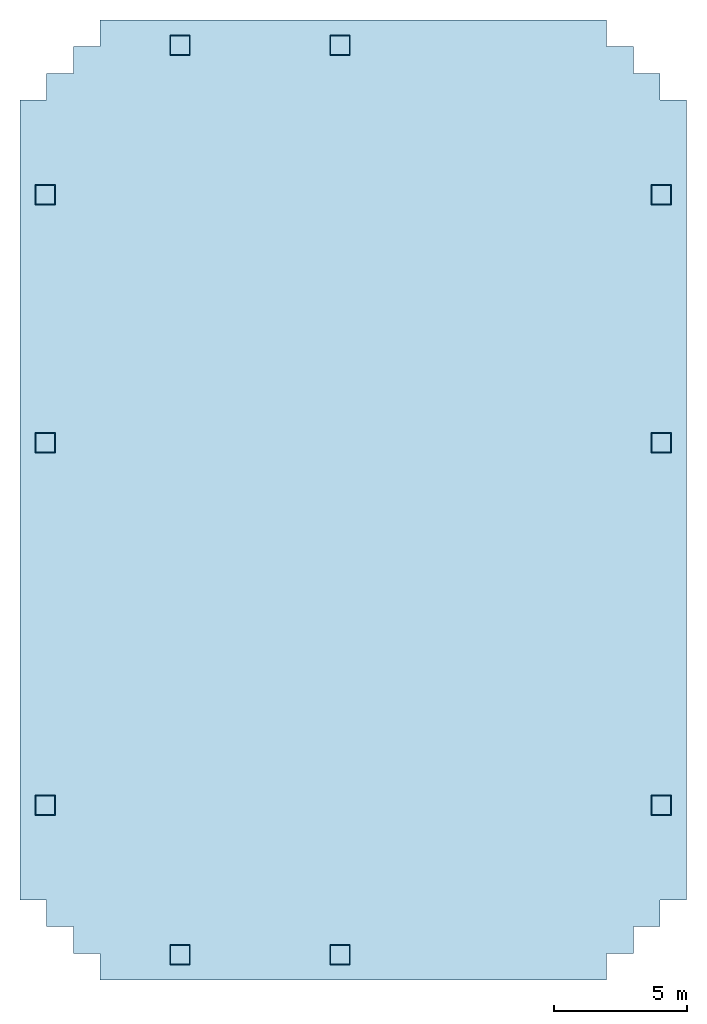
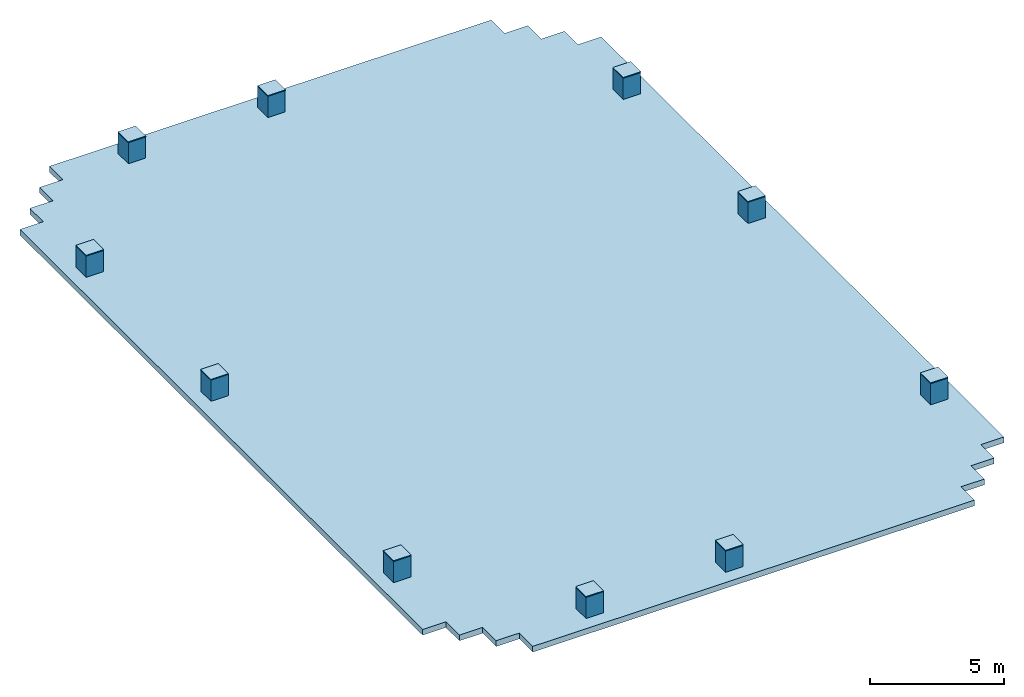
# One storey: 10 columns, 10 plates, 1 roof.
"""IFC4 building model written with IfcOpenShell, lengths in metres."""

from ifc_helpers import new_model, si_unit, direction, frame, origin, origin_2d, place, context, subcontext, project, spatial, polyline, rectangle, hollow_rectangle, outline, extrude, source, transform, mapped, material, layer, layer_set, material_profile, profile_set, type_object, element, save


model = new_model("IFC4")

# Units and contexts
model_context = context("Model", 3, precision=1e-05, world=origin(), true_north=direction((0.0, 1.0)))
body_context = subcontext(model_context, "Body", "Model", "MODEL_VIEW")
ifc_project = project(units=[si_unit("LENGTHUNIT", "METRE"), si_unit("AREAUNIT", "SQUARE_METRE"), si_unit("VOLUMEUNIT", "CUBIC_METRE"), si_unit("PLANEANGLEUNIT", "RADIAN"), si_unit("MASSUNIT", "GRAM", prefix="KILO")], contexts=[model_context])

# Site, building, storey
site_placement = place(None, origin())
site = spatial("IfcSite", under=ifc_project, at=site_placement, CompositionType="ELEMENT")
building_placement = place(site_placement, origin())
building = spatial("IfcBuilding", under=site, at=building_placement, Name="Ocotamira Hotel", CompositionType="ELEMENT")
storey_placement = place(building_placement, frame((0.0, 0.0, 328.739990234375)))
storey = spatial("IfcBuildingStorey", under=building, at=storey_placement, Name="UPPER ROOF", CompositionType="ELEMENT", Elevation=328.739990234375)

# Columns
ifc_material_1 = material(Name="Pale-metal coated steel ASTM A913 Grade 65", Category="steel")
ifc_material_profile = material_profile(ifc_material_1, hollow_rectangle(XDim=0.75, YDim=0.75, WallThickness=0.028076171875, at=origin_2d()), Name="BOX750X750X28")
ifc_profile_set = profile_set([ifc_material_profile], Name="Pale-metal coated steel ASTM A913 Grade 65")
column_type = type_object("IfcColumnType", Name="COL-CROWN-750", PredefinedType="COLUMN", material=ifc_profile_set)
shared_shape_1 = source(origin(), body_context, "Body", "SweptSolid", [
    extrude(hollow_rectangle(XDim=0.75, YDim=0.75, WallThickness=0.028076171875, at=origin_2d()), origin(), (0.0, 0.0, 1.0), 1.219970703125),
])
for number, where, z_axis, x_axis, name in (
    (1, (8.949951171875, 14.550048828125, 0.0), (0.0, 0.0, 1.0), (1.0, 0.0, 0.0), "CROWN FRAME POST P01 TIER 7"),
    (2, (8.949951171875, 28.14990234375, 0.0), (0.0, 0.0, 1.0), (1.0, 0.0, 0.0), "CROWN FRAME POST P02 TIER 7"),
    (3, (8.949951171875, 37.449951171875, 0.0), (0.0, 0.0, 1.0), (1.0, 0.0, 0.0), "CROWN FRAME POST P03 TIER 7"),
    (4, (32.050048828125, 14.550048828125, 0.0), (0.0, 0.0, 1.0), (1.0, 0.0, 0.0), "CROWN FRAME POST P04 TIER 7"),
    (5, (32.050048828125, 28.14990234375, 0.0), (0.0, 0.0, 1.0), (1.0, 0.0, 0.0), "CROWN FRAME POST P05 TIER 7"),
    (6, (32.050048828125, 37.449951171875, 0.0), (0.0, 0.0, 1.0), (1.0, 0.0, 0.0), "CROWN FRAME POST P06 TIER 7"),
    (7, (14.0, 8.949951171875, 0.0), (0.0, 0.0, 1.0), (1.0, 0.0, 0.0), "CROWN FRAME POST P07 TIER 7"),
    (8, (20.0, 8.949951171875, 0.0), (0.0, 0.0, 1.0), (1.0, 0.0, 0.0), "CROWN FRAME POST P08 TIER 7"),
    (9, (14.0, 43.050048828125, 0.0), (0.0, 0.0, 1.0), (1.0, 0.0, 0.0), "CROWN FRAME POST P09 TIER 7"),
    (10, (20.0, 43.050048828125, 0.0), (0.0, 0.0, 1.0), (1.0, 0.0, 0.0), "CROWN FRAME POST P10 TIER 7"),
):
    element("IfcColumn", number, at=place(storey_placement, frame(where, z_axis=z_axis, x_axis=x_axis)), inside=storey, type_object=column_type, Name=name, PredefinedType="COLUMN", context=body_context, shape_type="MappedRepresentation", body=[
        mapped(shared_shape_1, transform((0.0, 0.0, 0.0), scale=1.0)),
    ])

# Plates
ifc_material_2 = material(Name="Pale-metal coated steel ASTM A572 Grade 50", Category="steel")
ifc_layer_1 = layer(ifc_material_2, 0.0400390625)
ifc_layer_set_1 = layer_set([ifc_layer_1], Name="Pale-metal coated steel ASTM A572 Grade 50")
plate_type = type_object("IfcPlateType", Name="PLT-GUSSET-40", PredefinedType="SHEET", material=ifc_layer_set_1)
shared_shape_2 = source(origin(), body_context, "Body", "SweptSolid", [
    extrude(rectangle(XDim=0.760009765625, YDim=0.760009765625, at=origin_2d()), origin(), (0.0, 0.0, 1.0), 0.0400390625),
])
for number, where, z_axis, x_axis, name in (
    (11, (8.949951171875, 14.550048828125, 1.219970703125), (0.0, 0.0, 1.0), (1.0, 0.0, 0.0), "CROWN FRAME POST P01 TOP CAP PLATE"),
    (12, (8.949951171875, 28.14990234375, 1.219970703125), (0.0, 0.0, 1.0), (1.0, 0.0, 0.0), "CROWN FRAME POST P02 TOP CAP PLATE"),
    (13, (8.949951171875, 37.449951171875, 1.219970703125), (0.0, 0.0, 1.0), (1.0, 0.0, 0.0), "CROWN FRAME POST P03 TOP CAP PLATE"),
    (14, (32.050048828125, 14.550048828125, 1.219970703125), (0.0, 0.0, 1.0), (1.0, 0.0, 0.0), "CROWN FRAME POST P04 TOP CAP PLATE"),
    (15, (32.050048828125, 28.14990234375, 1.219970703125), (0.0, 0.0, 1.0), (1.0, 0.0, 0.0), "CROWN FRAME POST P05 TOP CAP PLATE"),
    (16, (32.050048828125, 37.449951171875, 1.219970703125), (0.0, 0.0, 1.0), (1.0, 0.0, 0.0), "CROWN FRAME POST P06 TOP CAP PLATE"),
    (17, (14.0, 8.949951171875, 1.219970703125), (0.0, 0.0, 1.0), (1.0, 0.0, 0.0), "CROWN FRAME POST P07 TOP CAP PLATE"),
    (18, (20.0, 8.949951171875, 1.219970703125), (0.0, 0.0, 1.0), (1.0, 0.0, 0.0), "CROWN FRAME POST P08 TOP CAP PLATE"),
    (19, (14.0, 43.050048828125, 1.219970703125), (0.0, 0.0, 1.0), (1.0, 0.0, 0.0), "CROWN FRAME POST P09 TOP CAP PLATE"),
    (20, (20.0, 43.050048828125, 1.219970703125), (0.0, 0.0, 1.0), (1.0, 0.0, 0.0), "CROWN FRAME POST P10 TOP CAP PLATE"),
):
    element("IfcPlate", number, at=place(storey_placement, frame(where, z_axis=z_axis, x_axis=x_axis)), inside=storey, type_object=plate_type, Name=name, PredefinedType="SHEET", context=body_context, shape_type="MappedRepresentation", body=[
        mapped(shared_shape_2, transform((0.0, 0.0, 0.0), scale=1.0)),
    ])

# Roof
ifc_material_3 = material(Name="Concrete C40/50", Category="concrete")
ifc_layer_2 = layer(ifc_material_3, 0.260009765625)
ifc_layer_set_2 = layer_set([ifc_layer_2], Name="Concrete C40/50")
roof_type = type_object("IfcRoofType", Name="ROOF-CAP-260", PredefinedType="FLAT_ROOF", material=ifc_layer_set_2)
roof_placement = place(storey_placement, origin())
element("IfcRoof", 21, at=roof_placement, inside=storey, type_object=roof_type, Name="Main Screened Crown Structural Roof Cap", PredefinedType="FLAT_ROOF", context=body_context, shape_type="SweptSolid", body=[
    extrude(outline(polyline([(11.0, 8.0), (30.0, 8.0), (30.0, 9.0), (31.0, 9.0), (31.0, 10.0), (32.0, 10.0), (32.0, 11.0), (33.0, 11.0), (33.0, 41.0), (32.0, 41.0), (32.0, 42.0), (31.0, 42.0), (31.0, 43.0), (30.0, 43.0), (30.0, 44.0), (11.0, 44.0), (11.0, 43.0), (10.0, 43.0), (10.0, 42.0), (9.0, 42.0), (9.0, 41.0), (8.0, 41.0), (8.0, 11.0), (9.0, 11.0), (9.0, 10.0), (10.0, 10.0), (10.0, 9.0), (11.0, 9.0), (11.0, 8.0)])), origin(), (0.0, 0.0, 1.0), 0.260009765625),
])

save(model, "model.ifc")
